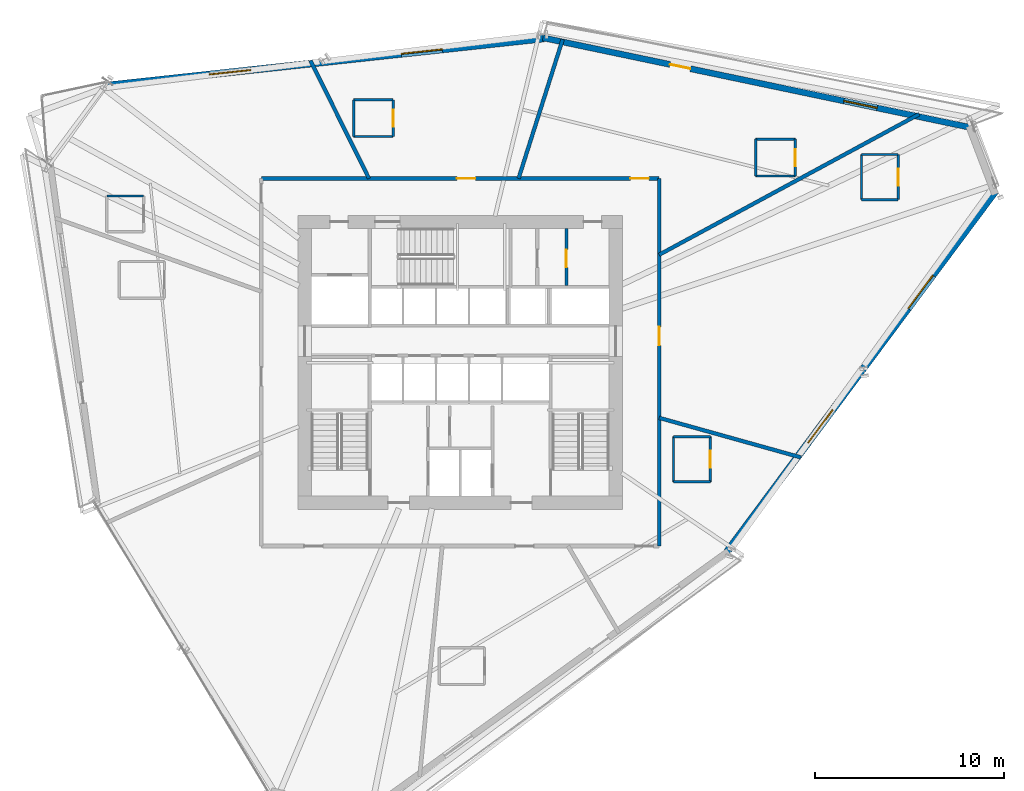
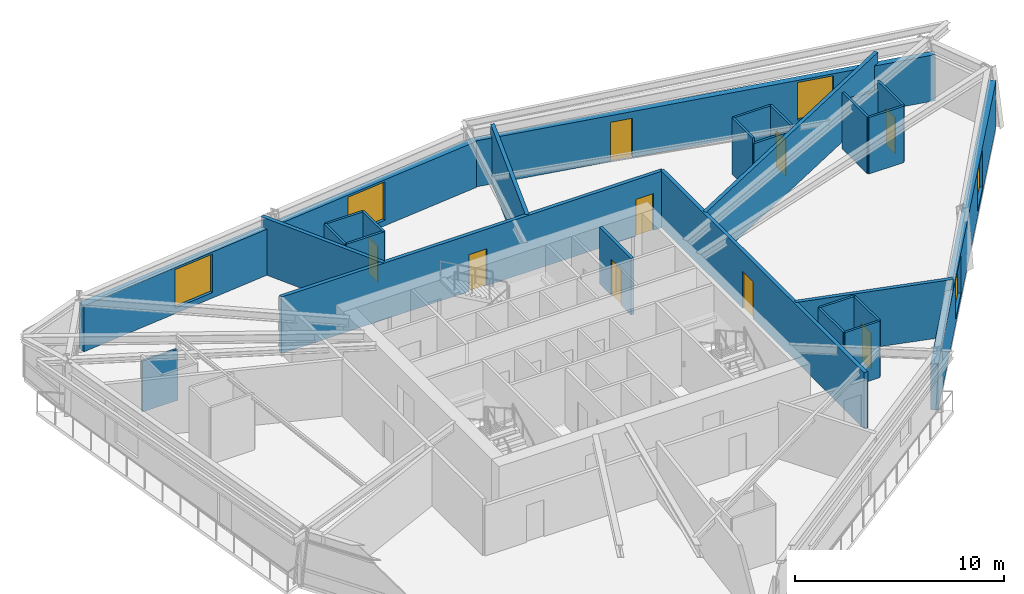
# One storey, part 14 of 18: 27 walls, 9 doors, 5 windows, 14 openings.
"""IFC4 building model written with IfcOpenShell, lengths in metres."""

from ifc_helpers import new_model, si_unit, direction, frame, frame_2d, origin, place, context, subcontext, project, spatial, rectangle, extrude, source, transform, mapped, material, layer, layer_set, type_object, type_shapes, element, fill, save


model = new_model("IFC4")

# Units and contexts
model_context = context("Model", 3, precision=1e-05, world=origin(), true_north=direction((0.0, 1.0)))
body_context = subcontext(model_context, "Body", "Model", "MODEL_VIEW")
ifc_project = project(units=[si_unit("LENGTHUNIT", "METRE"), si_unit("AREAUNIT", "SQUARE_METRE"), si_unit("VOLUMEUNIT", "CUBIC_METRE"), si_unit("PLANEANGLEUNIT", "RADIAN"), si_unit("MASSUNIT", "GRAM", prefix="KILO")], contexts=[model_context])

# Site, building, storey
site_placement = place(None, origin())
site = spatial("IfcSite", under=ifc_project, at=site_placement, CompositionType="ELEMENT")
building_placement = place(site_placement, origin())
building = spatial("IfcBuilding", under=site, at=building_placement, Name="Olszyna Solenne Hotel", CompositionType="ELEMENT")
storey_placement = place(building_placement, frame((0.0, 0.0, 119.89990234375)))
storey = spatial("IfcBuildingStorey", under=building, at=storey_placement, Name="L31", CompositionType="ELEMENT", Elevation=119.89990234375)

# Wall, openings, door, window
ifc_material_1 = material(Name="Precast concrete C45/55", Category="concrete")
ifc_layer_1 = layer(ifc_material_1, 0.320068359375, Name="Precast concrete C45/55")
ifc_layer_set_1 = layer_set([ifc_layer_1], Name="Precast concrete C45/55")
wall_type_1 = type_object("IfcWallType", Name="WL-EX320", PredefinedType="SOLIDWALL", material=ifc_layer_set_1)
wall_1_placement = place(storey_placement, frame((42.384033203125, 43.8134765625, 0.0), z_axis=(0.0, 0.0, 1.0), x_axis=(0.978690657653, -0.205340197291, 0.0)))
wall_1 = element("IfcWall", 1, at=wall_1_placement, inside=storey, type_object=wall_type_1, Name="Exterior terracotta-precast frame wall WL-EX320 EW-L31-08", PredefinedType="SOLIDWALL", context=body_context, shape_type="SweptSolid", body=[
    extrude(rectangle(XDim=23.259521484375, YDim=0.320068359375, at=frame_2d((11.6298828125, 0.0))), origin(), (0.0, 0.0, 1.0), 2.692138671875),
])
opening_1_placement = place(wall_1_placement, frame((6.89306640625, 0.0, 0.0)))
opening_1 = element("IfcOpeningElement", 2, at=opening_1_placement, cuts=wall_1, Name="Opening LDG-L31-1", PredefinedType="OPENING", context=body_context, shape_type="SweptSolid", body=[
    extrude(rectangle(XDim=1.10009765625, YDim=2.300048828125, at=frame_2d((0.550048828125, 1.14990234375))), frame((0.0, 0.169921875, 0.0), z_axis=(0.0, -1.0, 0.0), x_axis=(1.0, 0.0, 0.0)), (0.0, 0.0, 1.0), 0.340087890625),
])
opening_2_placement = place(wall_1_placement, frame((16.31201171875, 0.0, 0.3720703125)))
opening_2 = element("IfcOpeningElement", 3, at=opening_2_placement, cuts=wall_1, Name="Opening WN-L31-179", PredefinedType="OPENING", context=body_context, shape_type="SweptSolid", body=[
    extrude(rectangle(XDim=1.800048828125, YDim=2.199951171875, at=frame_2d((0.89990234375, 1.10009765625))), frame((0.0, 0.169921875, 0.0), z_axis=(0.0, -1.0, 0.0), x_axis=(1.0, 0.0, 0.0)), (0.0, 0.0, 1.0), 0.340087890625),
])
ifc_material_2 = material(Name="Anodised bronze aluminium", Category="aluminium")
door_type_1 = type_object("IfcDoorType", Name="DR-LG1", OperationType="NOTDEFINED", PredefinedType="DOOR", material=ifc_material_2)
shared_shape_1 = source(origin(), body_context, "Body", "SweptSolid", [
    extrude(rectangle(XDim=1.10009765625, YDim=2.300048828125, at=frame_2d((0.550048828125, 1.14990234375))), frame((0.0, 0.02490234375, 0.0), z_axis=(0.0, -1.0, 0.0), x_axis=(1.0, 0.0, 0.0)), (0.0, 0.0, 1.0), 0.050048828125),
])
type_shapes(door_type_1, [shared_shape_1])
door_1_placement = place(opening_1_placement, origin())
door_1 = element("IfcDoor", 4, at=door_1_placement, inside=storey, type_object=door_type_1, Name="Exterior loggia balcony door DR-LG1 LDG-L31-1", OperationType="SINGLE_SWING_LEFT", OverallHeight=2.300048828125, OverallWidth=1.10009765625, PredefinedType="DOOR", context=body_context, shape_type="MappedRepresentation", body=[
    mapped(shared_shape_1, transform((0.0, 0.0, 0.0), x_axis=(1.0, 0.0, 0.0), y_axis=(0.0, 1.0, 0.0), z_axis=(0.0, 0.0, 1.0), scale=1.0)),
])
fill(opening_1, door_1)
ifc_material_3 = material(Name="Low-E triple glazing", Category="glass")
window_type_1 = type_object("IfcWindowType", Name="WN-HT1", PartitioningType="SINGLE_PANEL", PredefinedType="WINDOW", material=ifc_material_3)
shared_shape_2 = source(origin(), body_context, "Body", "SweptSolid", [
    extrude(rectangle(XDim=1.800048828125, YDim=2.199951171875, at=frame_2d((0.89990234375, 1.10009765625))), frame((0.0, 0.030029296875, 0.0), z_axis=(0.0, -1.0, 0.0), x_axis=(1.0, 0.0, 0.0)), (0.0, 0.0, 1.0), 0.06005859375),
])
type_shapes(window_type_1, [shared_shape_2])
window_1_placement = place(opening_2_placement, origin())
window_1 = element("IfcWindow", 5, at=window_1_placement, inside=storey, type_object=window_type_1, Name="Loggia room window WN-HT1 WN-L31-179", OverallHeight=2.199951171875, OverallWidth=1.800048828125, PartitioningType="SINGLE_PANEL", PredefinedType="WINDOW", context=body_context, shape_type="MappedRepresentation", body=[
    mapped(shared_shape_2, transform((0.0, 0.0, 0.0), x_axis=(1.0, 0.0, 0.0), y_axis=(0.0, 1.0, 0.0), z_axis=(0.0, 0.0, 1.0), scale=1.0)),
])
fill(opening_2, window_1)

# Wall, openings, windows
ifc_material_4 = material(Name="Terracotta cladding on precast concrete C45/55", Category="masonry")
ifc_layer_2 = layer(ifc_material_4, 0.3798828125, Name="Terracotta cladding on precast concrete C45/55")
ifc_layer_set_2 = layer_set([ifc_layer_2], Name="Terracotta cladding on precast concrete C45/55")
wall_type_2 = type_object("IfcWallType", Name="WL-EX380", PredefinedType="SOLIDWALL", material=ifc_layer_set_2)
wall_2_placement = place(storey_placement, frame((19.311767578125, 41.28662109375, 0.0), z_axis=(0.0, 0.0, 1.0), x_axis=(0.994233058372, 0.107240969969, 0.0)))
wall_2 = element("IfcWall", 6, at=wall_2_placement, inside=storey, type_object=wall_type_2, Name="Exterior terracotta-precast frame wall WL-EX380 EW-L31-07", PredefinedType="SOLIDWALL", context=body_context, shape_type="SweptSolid", body=[
    extrude(rectangle(XDim=23.259521484375, YDim=0.3798828125, at=frame_2d((11.6298828125, 0.0))), origin(), (0.0, 0.0, 1.0), 2.692138671875),
])
opening_3_placement = place(wall_2_placement, frame((5.4130859375, 0.0, 0.322021484375)))
opening_3 = element("IfcOpeningElement", 7, at=opening_3_placement, cuts=wall_2, Name="Opening WN-L31-177", PredefinedType="OPENING", context=body_context, shape_type="SweptSolid", body=[
    extrude(rectangle(XDim=2.199951171875, YDim=2.25, at=frame_2d((1.10009765625, 1.125))), frame((0.0, 0.199951171875, 0.0), z_axis=(0.0, -1.0, 0.0), x_axis=(1.0, 0.0, 0.0)), (0.0, 0.0, 1.0), 0.39990234375),
])
opening_4_placement = place(wall_2_placement, frame((15.64697265625, 0.0, 0.322021484375)))
opening_4 = element("IfcOpeningElement", 8, at=opening_4_placement, cuts=wall_2, Name="Opening WN-L31-178", PredefinedType="OPENING", context=body_context, shape_type="SweptSolid", body=[
    extrude(rectangle(XDim=2.199951171875, YDim=2.25, at=frame_2d((1.10009765625, 1.125))), frame((0.0, 0.199951171875, 0.0), z_axis=(0.0, -1.0, 0.0), x_axis=(1.0, 0.0, 0.0)), (0.0, 0.0, 1.0), 0.39990234375),
])
window_type_2 = type_object("IfcWindowType", Name="WN-HT2", PartitioningType="SINGLE_PANEL", PredefinedType="WINDOW", material=ifc_material_3)
shared_shape_3 = source(origin(), body_context, "Body", "SweptSolid", [
    extrude(rectangle(XDim=2.199951171875, YDim=2.25, at=frame_2d((1.10009765625, 1.125))), frame((0.0, 0.030029296875, 0.0), z_axis=(0.0, -1.0, 0.0), x_axis=(1.0, 0.0, 0.0)), (0.0, 0.0, 1.0), 0.06005859375),
])
type_shapes(window_type_2, [shared_shape_3])
window_2_placement = place(opening_3_placement, origin())
window_2 = element("IfcWindow", 9, at=window_2_placement, inside=storey, type_object=window_type_2, Name="Exterior facade window WN-HT2 WN-L31-177", OverallHeight=2.25, OverallWidth=2.199951171875, PartitioningType="SINGLE_PANEL", PredefinedType="WINDOW", context=body_context, shape_type="MappedRepresentation", body=[
    mapped(shared_shape_3, transform((0.0, 0.0, 0.0), x_axis=(1.0, 0.0, 0.0), y_axis=(0.0, 1.0, 0.0), z_axis=(0.0, 0.0, 1.0), scale=1.0)),
])
fill(opening_3, window_2)
window_3_placement = place(opening_4_placement, origin())
window_3 = element("IfcWindow", 10, at=window_3_placement, inside=storey, type_object=window_type_2, Name="Exterior facade window WN-HT2 WN-L31-178", OverallHeight=2.25, OverallWidth=2.199951171875, PartitioningType="SINGLE_PANEL", PredefinedType="WINDOW", context=body_context, shape_type="MappedRepresentation", body=[
    mapped(shared_shape_3, transform((0.0, 0.0, 0.0), x_axis=(1.0, 0.0, 0.0), y_axis=(0.0, 1.0, 0.0), z_axis=(0.0, 0.0, 1.0), scale=1.0)),
])
fill(opening_4, window_3)

wall_3_placement = place(storey_placement, frame((66.404296875, 35.6953125, 0.0), z_axis=(0.0, 0.0, 1.0), x_axis=(-0.59725858194, -0.802048743094, 0.0)))
wall_3 = element("IfcWall", 11, at=wall_3_placement, inside=storey, type_object=wall_type_2, Name="Exterior terracotta-precast frame wall WL-EX380 EW-L31-10", PredefinedType="SOLIDWALL", context=body_context, shape_type="SweptSolid", body=[
    extrude(rectangle(XDim=23.85498046875, YDim=0.3798828125, at=frame_2d((11.927490234375, 0.0))), origin(), (0.0, 0.0, 1.0), 2.692138671875),
])
opening_5_placement = place(wall_3_placement, frame((5.5791015625, 0.0, 0.322021484375)))
opening_5 = element("IfcOpeningElement", 12, at=opening_5_placement, cuts=wall_3, Name="Opening WN-L31-180", PredefinedType="OPENING", context=body_context, shape_type="SweptSolid", body=[
    extrude(rectangle(XDim=2.199951171875, YDim=2.25, at=frame_2d((1.10009765625, 1.125))), frame((0.0, 0.199951171875, 0.0), z_axis=(0.0, -1.0, 0.0), x_axis=(1.0, 0.0, 0.0)), (0.0, 0.0, 1.0), 0.39990234375),
])
opening_6_placement = place(wall_3_placement, frame((14.47607421875, 0.0, 0.322021484375)))
opening_6 = element("IfcOpeningElement", 13, at=opening_6_placement, cuts=wall_3, Name="Opening WN-L31-181", PredefinedType="OPENING", context=body_context, shape_type="SweptSolid", body=[
    extrude(rectangle(XDim=2.199951171875, YDim=2.25, at=frame_2d((1.10009765625, 1.125))), frame((0.0, 0.199951171875, 0.0), z_axis=(0.0, -1.0, 0.0), x_axis=(1.0, 0.0, 0.0)), (0.0, 0.0, 1.0), 0.39990234375),
])
window_4_placement = place(opening_5_placement, origin())
window_4 = element("IfcWindow", 14, at=window_4_placement, inside=storey, type_object=window_type_2, Name="Exterior facade window WN-HT2 WN-L31-180", OverallHeight=2.25, OverallWidth=2.199951171875, PartitioningType="SINGLE_PANEL", PredefinedType="WINDOW", context=body_context, shape_type="MappedRepresentation", body=[
    mapped(shared_shape_3, transform((0.0, 0.0, 0.0), x_axis=(1.0, 0.0, 0.0), y_axis=(0.0, 1.0, 0.0), z_axis=(0.0, 0.0, 1.0), scale=1.0)),
])
fill(opening_5, window_4)
window_5_placement = place(opening_6_placement, origin())
window_5 = element("IfcWindow", 15, at=window_5_placement, inside=storey, type_object=window_type_2, Name="Exterior facade window WN-HT2 WN-L31-181", OverallHeight=2.25, OverallWidth=2.199951171875, PartitioningType="SINGLE_PANEL", PredefinedType="WINDOW", context=body_context, shape_type="MappedRepresentation", body=[
    mapped(shared_shape_3, transform((0.0, 0.0, 0.0), x_axis=(1.0, 0.0, 0.0), y_axis=(0.0, 1.0, 0.0), z_axis=(0.0, 0.0, 1.0), scale=1.0)),
])
fill(opening_6, window_5)

# Wall, opening, door
ifc_material_5 = material(Name="Acoustic gypsum partition", Category="gypsum")
ifc_layer_3 = layer(ifc_material_5, 0.125, Name="Acoustic gypsum partition")
ifc_layer_set_3 = layer_set([ifc_layer_3], Name="Acoustic gypsum partition")
wall_type_3 = type_object("IfcWallType", Name="WL-PT125", PredefinedType="PARTITIONING", material=ifc_layer_set_3)
wall_4_placement = place(storey_placement, frame((51.263916015625, 20.259033203125, 0.0), z_axis=(0.0, 0.0, 1.0), x_axis=(0.0, 1.0, 0.0)))
wall_4 = element("IfcWall", 16, at=wall_4_placement, inside=storey, type_object=wall_type_3, Name="Interior acoustic partition WL-PT125 PW-L31-1787", PredefinedType="PARTITIONING", context=body_context, shape_type="SweptSolid", body=[
    extrude(rectangle(XDim=2.39990234375, YDim=0.125, at=frame_2d((1.199951171875, 0.0))), origin(), (0.0, 0.0, 1.0), 3.300048828125),
])
opening_7_placement = place(wall_4_placement, frame((0.75, 0.0, 0.0)))
opening_7 = element("IfcOpeningElement", 17, at=opening_7_placement, cuts=wall_4, Name="Opening DR-L31-0424", PredefinedType="OPENING", context=body_context, shape_type="SweptSolid", body=[
    extrude(rectangle(XDim=0.89990234375, YDim=2.10009765625, at=frame_2d((0.449951171875, 1.050048828125))), frame((0.0, 0.072509765625, 0.0), z_axis=(0.0, -1.0, 0.0), x_axis=(1.0, 0.0, 0.0)), (0.0, 0.0, 1.0), 0.14501953125),
])
ifc_material_6 = material(Name="Timber hardwood", Category="wood")
door_type_2 = type_object("IfcDoorType", Name="DR-WC1", OperationType="NOTDEFINED", PredefinedType="DOOR", material=ifc_material_6)
shared_shape_4 = source(origin(), body_context, "Body", "SweptSolid", [
    extrude(rectangle(XDim=0.89990234375, YDim=2.10009765625, at=frame_2d((0.449951171875, 1.050048828125))), frame((0.0, 0.02490234375, 0.0), z_axis=(0.0, -1.0, 0.0), x_axis=(1.0, 0.0, 0.0)), (0.0, 0.0, 1.0), 0.050048828125),
])
type_shapes(door_type_2, [shared_shape_4])
door_2_placement = place(opening_7_placement, origin())
door_2 = element("IfcDoor", 18, at=door_2_placement, inside=storey, type_object=door_type_2, Name="En-Suite Bathroom Door DR-L31-0424", OperationType="SINGLE_SWING_RIGHT", OverallHeight=2.10009765625, OverallWidth=0.89990234375, PredefinedType="DOOR", context=body_context, shape_type="MappedRepresentation", body=[
    mapped(shared_shape_4, transform((0.0, 0.0, 0.0), x_axis=(1.0, 0.0, 0.0), y_axis=(0.0, 1.0, 0.0), z_axis=(0.0, 0.0, 1.0), scale=1.0)),
])
fill(opening_7, door_2)

# Walls
wall_5_placement = place(storey_placement, frame((51.263916015625, 22.658935546875, 0.0), z_axis=(0.0, 0.0, 1.0), x_axis=(-1.0, 0.0, 0.0)))
element("IfcWall", 19, at=wall_5_placement, inside=storey, type_object=wall_type_3, Name="Interior acoustic partition WL-PT125 PW-L31-1788", PredefinedType="PARTITIONING", context=body_context, shape_type="SweptSolid", body=[
    extrude(rectangle(XDim=1.949951171875, YDim=0.125, at=frame_2d((0.97509765625, 0.0))), origin(), (0.0, 0.0, 1.0), 3.300048828125),
])
wall_6_placement = place(storey_placement, frame((49.31396484375, 22.658935546875, 0.0), z_axis=(0.0, 0.0, 1.0), x_axis=(0.0, -1.0, 0.0)))
element("IfcWall", 20, at=wall_6_placement, inside=storey, type_object=wall_type_3, Name="Interior acoustic partition WL-PT125 PW-L31-1789", PredefinedType="PARTITIONING", context=body_context, shape_type="SweptSolid", body=[
    extrude(rectangle(XDim=2.39990234375, YDim=0.125, at=frame_2d((1.199951171875, 0.0))), origin(), (0.0, 0.0, 1.0), 3.300048828125),
])
wall_7_placement = place(storey_placement, frame((49.31396484375, 20.259033203125, 0.0), z_axis=(0.0, 0.0, 1.0), x_axis=(1.0, 0.0, 0.0)))
element("IfcWall", 21, at=wall_7_placement, inside=storey, type_object=wall_type_3, Name="Interior acoustic partition WL-PT125 PW-L31-1790", PredefinedType="PARTITIONING", context=body_context, shape_type="SweptSolid", body=[
    extrude(rectangle(XDim=1.949951171875, YDim=0.125, at=frame_2d((0.97509765625, 0.0))), origin(), (0.0, 0.0, 1.0), 3.300048828125),
])

# Wall, opening, door
wall_8_placement = place(storey_placement, frame((61.23095703125, 35.22607421875, 0.0), z_axis=(0.0, 0.0, 1.0), x_axis=(0.0, 1.0, 0.0)))
wall_8 = element("IfcWall", 22, at=wall_8_placement, inside=storey, type_object=wall_type_3, Name="Interior acoustic partition WL-PT125 PW-L31-1791", PredefinedType="PARTITIONING", context=body_context, shape_type="SweptSolid", body=[
    extrude(rectangle(XDim=2.39990234375, YDim=0.125, at=frame_2d((1.199951171875, 0.0))), origin(), (0.0, 0.0, 1.0), 3.300048828125),
])
opening_8_placement = place(wall_8_placement, frame((0.75, 0.0, 0.0)))
opening_8 = element("IfcOpeningElement", 23, at=opening_8_placement, cuts=wall_8, Name="Opening DR-L31-0425", PredefinedType="OPENING", context=body_context, shape_type="SweptSolid", body=[
    extrude(rectangle(XDim=0.89990234375, YDim=2.10009765625, at=frame_2d((0.449951171875, 1.050048828125))), frame((0.0, 0.072509765625, 0.0), z_axis=(0.0, -1.0, 0.0), x_axis=(1.0, 0.0, 0.0)), (0.0, 0.0, 1.0), 0.14501953125),
])
door_3_placement = place(opening_8_placement, origin())
door_3 = element("IfcDoor", 24, at=door_3_placement, inside=storey, type_object=door_type_2, Name="En-Suite Bathroom Door DR-L31-0425", OperationType="SINGLE_SWING_RIGHT", OverallHeight=2.10009765625, OverallWidth=0.89990234375, PredefinedType="DOOR", context=body_context, shape_type="MappedRepresentation", body=[
    mapped(shared_shape_4, transform((0.0, 0.0, 0.0), x_axis=(1.0, 0.0, 0.0), y_axis=(0.0, 1.0, 0.0), z_axis=(0.0, 0.0, 1.0), scale=1.0)),
])
fill(opening_8, door_3)

# Walls
wall_9_placement = place(storey_placement, frame((61.23095703125, 37.6259765625, 0.0), z_axis=(0.0, 0.0, 1.0), x_axis=(-1.0, 0.0, 0.0)))
element("IfcWall", 25, at=wall_9_placement, inside=storey, type_object=wall_type_3, Name="Interior acoustic partition WL-PT125 PW-L31-1792", PredefinedType="PARTITIONING", context=body_context, shape_type="SweptSolid", body=[
    extrude(rectangle(XDim=1.949951171875, YDim=0.125, at=frame_2d((0.97509765625, 0.0))), origin(), (0.0, 0.0, 1.0), 2.795166015625),
])
wall_10_placement = place(storey_placement, frame((59.281005859375, 37.6259765625, 0.0), z_axis=(0.0, 0.0, 1.0), x_axis=(0.0, -1.0, 0.0)))
element("IfcWall", 26, at=wall_10_placement, inside=storey, type_object=wall_type_3, Name="Interior acoustic partition WL-PT125 PW-L31-1793", PredefinedType="PARTITIONING", context=body_context, shape_type="SweptSolid", body=[
    extrude(rectangle(XDim=2.39990234375, YDim=0.125, at=frame_2d((1.199951171875, 0.0))), origin(), (0.0, 0.0, 1.0), 3.300048828125),
])
wall_11_placement = place(storey_placement, frame((59.281005859375, 35.22607421875, 0.0), z_axis=(0.0, 0.0, 1.0), x_axis=(1.0, 0.0, 0.0)))
element("IfcWall", 27, at=wall_11_placement, inside=storey, type_object=wall_type_3, Name="Interior acoustic partition WL-PT125 PW-L31-1794", PredefinedType="PARTITIONING", context=body_context, shape_type="SweptSolid", body=[
    extrude(rectangle(XDim=1.949951171875, YDim=0.125, at=frame_2d((0.97509765625, 0.0))), origin(), (0.0, 0.0, 1.0), 3.300048828125),
])

# Wall, opening, door
wall_12_placement = place(storey_placement, frame((55.77294921875, 36.485107421875, 0.0), z_axis=(0.0, 0.0, 1.0), x_axis=(0.0, 1.0, 0.0)))
wall_12 = element("IfcWall", 28, at=wall_12_placement, inside=storey, type_object=wall_type_3, Name="Interior acoustic partition WL-PT125 PW-L31-1795", PredefinedType="PARTITIONING", context=body_context, shape_type="SweptSolid", body=[
    extrude(rectangle(XDim=1.949951171875, YDim=0.125, at=frame_2d((0.97509765625, 0.0))), origin(), (0.0, 0.0, 1.0), 3.300048828125),
])
opening_9_placement = place(wall_12_placement, frame((0.52490234375, 0.0, 0.0)))
opening_9 = element("IfcOpeningElement", 29, at=opening_9_placement, cuts=wall_12, Name="Opening DR-L31-0426", PredefinedType="OPENING", context=body_context, shape_type="SweptSolid", body=[
    extrude(rectangle(XDim=0.89990234375, YDim=2.10009765625, at=frame_2d((0.449951171875, 1.050048828125))), frame((0.0, 0.072509765625, 0.0), z_axis=(0.0, -1.0, 0.0), x_axis=(1.0, 0.0, 0.0)), (0.0, 0.0, 1.0), 0.14501953125),
])
door_4_placement = place(opening_9_placement, origin())
door_4 = element("IfcDoor", 30, at=door_4_placement, inside=storey, type_object=door_type_2, Name="En-Suite Bathroom Door DR-L31-0426", OperationType="SINGLE_SWING_RIGHT", OverallHeight=2.10009765625, OverallWidth=0.89990234375, PredefinedType="DOOR", context=body_context, shape_type="MappedRepresentation", body=[
    mapped(shared_shape_4, transform((0.0, 0.0, 0.0), x_axis=(1.0, 0.0, 0.0), y_axis=(0.0, 1.0, 0.0), z_axis=(0.0, 0.0, 1.0), scale=1.0)),
])
fill(opening_9, door_4)

# Walls
wall_13_placement = place(storey_placement, frame((55.77294921875, 38.43505859375, 0.0), z_axis=(0.0, 0.0, 1.0), x_axis=(-1.0, 0.0, 0.0)))
element("IfcWall", 31, at=wall_13_placement, inside=storey, type_object=wall_type_3, Name="Interior acoustic partition WL-PT125 PW-L31-1796", PredefinedType="PARTITIONING", context=body_context, shape_type="SweptSolid", body=[
    extrude(rectangle(XDim=2.099853515625, YDim=0.125, at=frame_2d((1.0498046875, 0.0))), origin(), (0.0, 0.0, 1.0), 3.300048828125),
])
wall_14_placement = place(storey_placement, frame((53.673095703125, 38.43505859375, 0.0), z_axis=(0.0, 0.0, 1.0), x_axis=(0.0, -1.0, 0.0)))
element("IfcWall", 32, at=wall_14_placement, inside=storey, type_object=wall_type_3, Name="Interior acoustic partition WL-PT125 PW-L31-1797", PredefinedType="PARTITIONING", context=body_context, shape_type="SweptSolid", body=[
    extrude(rectangle(XDim=1.949951171875, YDim=0.125, at=frame_2d((0.97509765625, 0.0))), origin(), (0.0, 0.0, 1.0), 3.300048828125),
])
wall_15_placement = place(storey_placement, frame((53.673095703125, 36.485107421875, 0.0), z_axis=(0.0, 0.0, 1.0), x_axis=(1.0, 0.0, 0.0)))
element("IfcWall", 33, at=wall_15_placement, inside=storey, type_object=wall_type_3, Name="Interior acoustic partition WL-PT125 PW-L31-1798", PredefinedType="PARTITIONING", context=body_context, shape_type="SweptSolid", body=[
    extrude(rectangle(XDim=2.099853515625, YDim=0.125, at=frame_2d((1.0498046875, 0.0))), origin(), (0.0, 0.0, 1.0), 2.985107421875),
])

# Wall, opening, door
wall_16_placement = place(storey_placement, frame((34.44189453125, 38.574951171875, 0.0), z_axis=(0.0, 0.0, 1.0), x_axis=(0.0, 1.0, 0.0)))
wall_16 = element("IfcWall", 34, at=wall_16_placement, inside=storey, type_object=wall_type_3, Name="Interior acoustic partition WL-PT125 PW-L31-1799", PredefinedType="PARTITIONING", context=body_context, shape_type="SweptSolid", body=[
    extrude(rectangle(XDim=1.949951171875, YDim=0.125, at=frame_2d((0.97509765625, 0.0))), origin(), (0.0, 0.0, 1.0), 3.300048828125),
])
opening_10_placement = place(wall_16_placement, frame((0.52490234375, 0.0, 0.0)))
opening_10 = element("IfcOpeningElement", 35, at=opening_10_placement, cuts=wall_16, Name="Opening DR-L31-0427", PredefinedType="OPENING", context=body_context, shape_type="SweptSolid", body=[
    extrude(rectangle(XDim=0.89990234375, YDim=2.10009765625, at=frame_2d((0.449951171875, 1.050048828125))), frame((0.0, 0.072509765625, 0.0), z_axis=(0.0, -1.0, 0.0), x_axis=(1.0, 0.0, 0.0)), (0.0, 0.0, 1.0), 0.14501953125),
])
door_5_placement = place(opening_10_placement, origin())
door_5 = element("IfcDoor", 36, at=door_5_placement, inside=storey, type_object=door_type_2, Name="En-Suite Bathroom Door DR-L31-0427", OperationType="SINGLE_SWING_RIGHT", OverallHeight=2.10009765625, OverallWidth=0.89990234375, PredefinedType="DOOR", context=body_context, shape_type="MappedRepresentation", body=[
    mapped(shared_shape_4, transform((0.0, 0.0, 0.0), x_axis=(1.0, 0.0, 0.0), y_axis=(0.0, 1.0, 0.0), z_axis=(0.0, 0.0, 1.0), scale=1.0)),
])
fill(opening_10, door_5)

# Walls
wall_17_placement = place(storey_placement, frame((34.44189453125, 40.52490234375, 0.0), z_axis=(0.0, 0.0, 1.0), x_axis=(-1.0, 0.0, 0.0)))
element("IfcWall", 37, at=wall_17_placement, inside=storey, type_object=wall_type_3, Name="Interior acoustic partition WL-PT125 PW-L31-1800", PredefinedType="PARTITIONING", context=body_context, shape_type="SweptSolid", body=[
    extrude(rectangle(XDim=2.099853515625, YDim=0.125, at=frame_2d((1.0498046875, 0.0))), origin(), (0.0, 0.0, 1.0), 3.300048828125),
])
wall_18_placement = place(storey_placement, frame((32.342041015625, 40.52490234375, 0.0), z_axis=(0.0, 0.0, 1.0), x_axis=(0.0, -1.0, 0.0)))
element("IfcWall", 38, at=wall_18_placement, inside=storey, type_object=wall_type_3, Name="Interior acoustic partition WL-PT125 PW-L31-1801", PredefinedType="PARTITIONING", context=body_context, shape_type="SweptSolid", body=[
    extrude(rectangle(XDim=1.949951171875, YDim=0.125, at=frame_2d((0.97509765625, 0.0))), origin(), (0.0, 0.0, 1.0), 3.300048828125),
])
wall_19_placement = place(storey_placement, frame((32.342041015625, 38.574951171875, 0.0), z_axis=(0.0, 0.0, 1.0), x_axis=(1.0, 0.0, 0.0)))
element("IfcWall", 39, at=wall_19_placement, inside=storey, type_object=wall_type_3, Name="Interior acoustic partition WL-PT125 PW-L31-1802", PredefinedType="PARTITIONING", context=body_context, shape_type="SweptSolid", body=[
    extrude(rectangle(XDim=2.099853515625, YDim=0.125, at=frame_2d((1.0498046875, 0.0))), origin(), (0.0, 0.0, 1.0), 3.300048828125),
])
wall_20_placement = place(storey_placement, frame((21.208984375, 35.4208984375, 0.0), z_axis=(0.0, 0.0, 1.0), x_axis=(-1.0, 0.0, 0.0)))
element("IfcWall", 40, at=wall_20_placement, inside=storey, type_object=wall_type_3, Name="Interior acoustic partition WL-PT125 PW-L31-1804", PredefinedType="PARTITIONING", context=body_context, shape_type="SweptSolid", body=[
    extrude(rectangle(XDim=1.949951171875, YDim=0.125, at=frame_2d((0.97509765625, 0.0))), origin(), (0.0, 0.0, 1.0), 2.97509765625),
])

# Wall, opening, door
ifc_layer_4 = layer(ifc_material_5, 0.159912109375, Name="Acoustic gypsum partition")
ifc_layer_set_4 = layer_set([ifc_layer_4], Name="Acoustic gypsum partition")
wall_type_4 = type_object("IfcWallType", Name="WL-PT160", PredefinedType="PARTITIONING", material=ifc_layer_set_4)
wall_21_placement = place(storey_placement, frame((43.625, 30.679931640625, 0.0), z_axis=(0.0, 0.0, 1.0), x_axis=(0.0, 1.0, 0.0)))
wall_21 = element("IfcWall", 41, at=wall_21_placement, inside=storey, type_object=wall_type_4, Name="Core shaft compartment wall CW-L31-BOH3B", PredefinedType="PARTITIONING", context=body_context, shape_type="SweptSolid", body=[
    extrude(rectangle(XDim=3.02001953125, YDim=0.159912109375, at=frame_2d((1.510009765625, 0.0))), origin(), (0.0, 0.0, 1.0), 3.300048828125),
])
opening_11_placement = place(wall_21_placement, frame((0.949951171875, 0.0, 0.0)))
opening_11 = element("IfcOpeningElement", 42, at=opening_11_placement, cuts=wall_21, Name="Opening SVD-L31-B32", PredefinedType="OPENING", context=body_context, shape_type="SweptSolid", body=[
    extrude(rectangle(XDim=0.949951171875, YDim=2.10009765625, at=frame_2d((0.47509765625, 1.050048828125))), frame((0.0, 0.08984375, 0.0), z_axis=(0.0, -1.0, 0.0), x_axis=(1.0, 0.0, 0.0)), (0.0, 0.0, 1.0), 0.179931640625),
])
ifc_material_7 = material(Name="Steel S355J2", Category="steel")
door_type_3 = type_object("IfcDoorType", Name="DR-SV1", OperationType="NOTDEFINED", PredefinedType="DOOR", material=ifc_material_7)
shared_shape_5 = source(origin(), body_context, "Body", "SweptSolid", [
    extrude(rectangle(XDim=0.949951171875, YDim=2.10009765625, at=frame_2d((0.47509765625, 1.050048828125))), frame((0.0, 0.02490234375, 0.0), z_axis=(0.0, -1.0, 0.0), x_axis=(1.0, 0.0, 0.0)), (0.0, 0.0, 1.0), 0.050048828125),
])
type_shapes(door_type_3, [shared_shape_5])
door_6_placement = place(opening_11_placement, origin())
door_6 = element("IfcDoor", 43, at=door_6_placement, inside=storey, type_object=door_type_3, Name="BOH inter-room fire door SVD-L31-B32", OperationType="SINGLE_SWING_LEFT", OverallHeight=2.10009765625, OverallWidth=0.949951171875, PredefinedType="DOOR", context=body_context, shape_type="MappedRepresentation", body=[
    mapped(shared_shape_5, transform((0.0, 0.0, 0.0), x_axis=(1.0, 0.0, 0.0), y_axis=(0.0, 1.0, 0.0), z_axis=(0.0, 0.0, 1.0), scale=1.0)),
])
fill(opening_11, door_6)

# Walls
ifc_layer_5 = layer(ifc_material_5, 0.199951171875, Name="Acoustic gypsum partition")
ifc_layer_set_5 = layer_set([ifc_layer_5], Name="Acoustic gypsum partition")
wall_type_5 = type_object("IfcWallType", Name="WL-PT200", PredefinedType="PARTITIONING", material=ifc_layer_set_5)
wall_22_placement = place(storey_placement, frame((48.550048828125, 23.654296875, 0.0), z_axis=(0.0, 0.0, 1.0), x_axis=(0.963168254659, -0.268899448153, 0.0)))
element("IfcWall", 44, at=wall_22_placement, inside=storey, type_object=wall_type_5, Name="Interior acoustic partition WL-PT200 PW-L31-1780", PredefinedType="PARTITIONING", context=body_context, shape_type="SweptSolid", body=[
    extrude(rectangle(XDim=7.810791015625, YDim=0.199951171875, at=frame_2d((3.9052734375, 0.0))), origin(), (0.0, 0.0, 1.0), 3.300048828125),
])
wall_23_placement = place(storey_placement, frame((48.550048828125, 32.304443359375, 0.0), z_axis=(0.0, 0.0, 1.0), x_axis=(0.879655089174, 0.475612157215, 0.0)))
element("IfcWall", 45, at=wall_23_placement, inside=storey, type_object=wall_type_5, Name="Interior acoustic partition WL-PT200 PW-L31-1781", PredefinedType="PARTITIONING", context=body_context, shape_type="SweptSolid", body=[
    extrude(rectangle(XDim=15.6748046875, YDim=0.199951171875, at=frame_2d((7.83740234375, 0.0))), origin(), (0.0, 0.0, 1.0), 3.300048828125),
])
wall_24_placement = place(storey_placement, frame((41.093017578125, 36.35009765625, 0.0), z_axis=(0.0, 0.0, 1.0), x_axis=(0.302366217447, 0.953191833026, 0.0)))
element("IfcWall", 46, at=wall_24_placement, inside=storey, type_object=wall_type_5, Name="Interior acoustic partition WL-PT200 PW-L31-1782", PredefinedType="PARTITIONING", context=body_context, shape_type="SweptSolid", body=[
    extrude(rectangle(XDim=7.738525390625, YDim=0.199951171875, at=frame_2d((3.869140625, 0.0))), origin(), (0.0, 0.0, 1.0), 3.300048828125),
])
wall_25_placement = place(storey_placement, frame((33.16015625, 36.35009765625, 0.0), z_axis=(0.0, 0.0, 1.0), x_axis=(-0.444639192868, 0.895709767819, 0.0)))
element("IfcWall", 47, at=wall_25_placement, inside=storey, type_object=wall_type_5, Name="Interior acoustic partition WL-PT200 PW-L31-1783", PredefinedType="PARTITIONING", context=body_context, shape_type="SweptSolid", body=[
    extrude(rectangle(XDim=6.98486328125, YDim=0.199951171875, at=frame_2d((3.492431640625, 0.0))), origin(), (0.0, 0.0, 1.0), 3.300048828125),
])

# Wall, openings, doors
wall_26_placement = place(storey_placement, frame((27.449951171875, 36.35009765625, 0.0), z_axis=(0.0, 0.0, 1.0), x_axis=(1.0, 0.0, 0.0)))
wall_26 = element("IfcWall", 48, at=wall_26_placement, inside=storey, type_object=wall_type_5, Name="Interior acoustic partition WL-PT200 PW-L31-1817", PredefinedType="PARTITIONING", context=body_context, shape_type="SweptSolid", body=[
    extrude(rectangle(XDim=21.10009765625, YDim=0.199951171875, at=frame_2d((10.550048828125, 0.0))), origin(), (0.0, 0.0, 1.0), 3.300048828125),
])
opening_12_placement = place(wall_26_placement, frame((19.5791015625, 0.0, 0.0)))
opening_12 = element("IfcOpeningElement", 49, at=opening_12_placement, cuts=wall_26, Name="Opening DR-L31-0436", PredefinedType="OPENING", context=body_context, shape_type="SweptSolid", body=[
    extrude(rectangle(XDim=0.97998046875, YDim=2.14990234375, at=frame_2d((0.489990234375, 1.074951171875))), frame((0.0, 0.10986328125, 0.0), z_axis=(0.0, -1.0, 0.0), x_axis=(1.0, 0.0, 0.0)), (0.0, 0.0, 1.0), 0.219970703125),
])
opening_13_placement = place(wall_26_placement, frame((10.375, 0.0, 0.0)))
opening_13 = element("IfcOpeningElement", 50, at=opening_13_placement, cuts=wall_26, Name="Opening DR-L31-0437", PredefinedType="OPENING", context=body_context, shape_type="SweptSolid", body=[
    extrude(rectangle(XDim=0.97998046875, YDim=2.14990234375, at=frame_2d((0.489990234375, 1.074951171875))), frame((0.0, 0.10986328125, 0.0), z_axis=(0.0, -1.0, 0.0), x_axis=(1.0, 0.0, 0.0)), (0.0, 0.0, 1.0), 0.219970703125),
])
door_type_4 = type_object("IfcDoorType", Name="DR-RM1", OperationType="NOTDEFINED", PredefinedType="DOOR", material=ifc_material_6)
shared_shape_6 = source(origin(), body_context, "Body", "SweptSolid", [
    extrude(rectangle(XDim=0.97998046875, YDim=2.14990234375, at=frame_2d((0.489990234375, 1.074951171875))), frame((0.0, 0.02490234375, 0.0), z_axis=(0.0, -1.0, 0.0), x_axis=(1.0, 0.0, 0.0)), (0.0, 0.0, 1.0), 0.050048828125),
])
type_shapes(door_type_4, [shared_shape_6])
door_7_placement = place(opening_12_placement, origin())
door_7 = element("IfcDoor", 51, at=door_7_placement, inside=storey, type_object=door_type_4, Name="Premier King Suite Entrance Door DR-L31-0436", OperationType="SINGLE_SWING_RIGHT", OverallHeight=2.14990234375, OverallWidth=0.97998046875, PredefinedType="DOOR", context=body_context, shape_type="MappedRepresentation", body=[
    mapped(shared_shape_6, transform((0.0, 0.0, 0.0), x_axis=(1.0, 0.0, 0.0), y_axis=(0.0, 1.0, 0.0), z_axis=(0.0, 0.0, 1.0), scale=1.0)),
])
fill(opening_12, door_7)
door_8_placement = place(opening_13_placement, origin())
door_8 = element("IfcDoor", 52, at=door_8_placement, inside=storey, type_object=door_type_4, Name="Premier King Suite Entrance Door DR-L31-0437", OperationType="SINGLE_SWING_LEFT", OverallHeight=2.14990234375, OverallWidth=0.97998046875, PredefinedType="DOOR", context=body_context, shape_type="MappedRepresentation", body=[
    mapped(shared_shape_6, transform((0.0, 0.0, 0.0), x_axis=(1.0, 0.0, 0.0), y_axis=(0.0, 1.0, 0.0), z_axis=(0.0, 0.0, 1.0), scale=1.0)),
])
fill(opening_13, door_8)

# Wall, opening, door
wall_27_placement = place(storey_placement, frame((48.550048828125, 16.85009765625, 0.0), z_axis=(0.0, 0.0, 1.0), x_axis=(0.0, 1.0, 0.0)))
wall_27 = element("IfcWall", 53, at=wall_27_placement, inside=storey, type_object=wall_type_5, Name="Interior acoustic partition WL-PT200 PW-L31-1818", PredefinedType="PARTITIONING", context=body_context, shape_type="SweptSolid", body=[
    extrude(rectangle(XDim=19.5, YDim=0.199951171875, at=frame_2d((9.75, 0.0))), origin(), (0.0, 0.0, 1.0), 3.300048828125),
])
opening_14_placement = place(wall_27_placement, frame((10.652099609375, 0.0, 0.0)))
opening_14 = element("IfcOpeningElement", 54, at=opening_14_placement, cuts=wall_27, Name="Opening DR-L31-0438", PredefinedType="OPENING", context=body_context, shape_type="SweptSolid", body=[
    extrude(rectangle(XDim=0.97998046875, YDim=2.14990234375, at=frame_2d((0.489990234375, 1.074951171875))), frame((0.0, 0.10986328125, 0.0), z_axis=(0.0, -1.0, 0.0), x_axis=(1.0, 0.0, 0.0)), (0.0, 0.0, 1.0), 0.219970703125),
])
door_9_placement = place(opening_14_placement, origin())
door_9 = element("IfcDoor", 55, at=door_9_placement, inside=storey, type_object=door_type_4, Name="Premier King Suite Entrance Door DR-L31-0438", OperationType="SINGLE_SWING_LEFT", OverallHeight=2.14990234375, OverallWidth=0.97998046875, PredefinedType="DOOR", context=body_context, shape_type="MappedRepresentation", body=[
    mapped(shared_shape_6, transform((0.0, 0.0, 0.0), x_axis=(1.0, 0.0, 0.0), y_axis=(0.0, 1.0, 0.0), z_axis=(0.0, 0.0, 1.0), scale=1.0)),
])
fill(opening_14, door_9)

save(model, "model.ifc")
